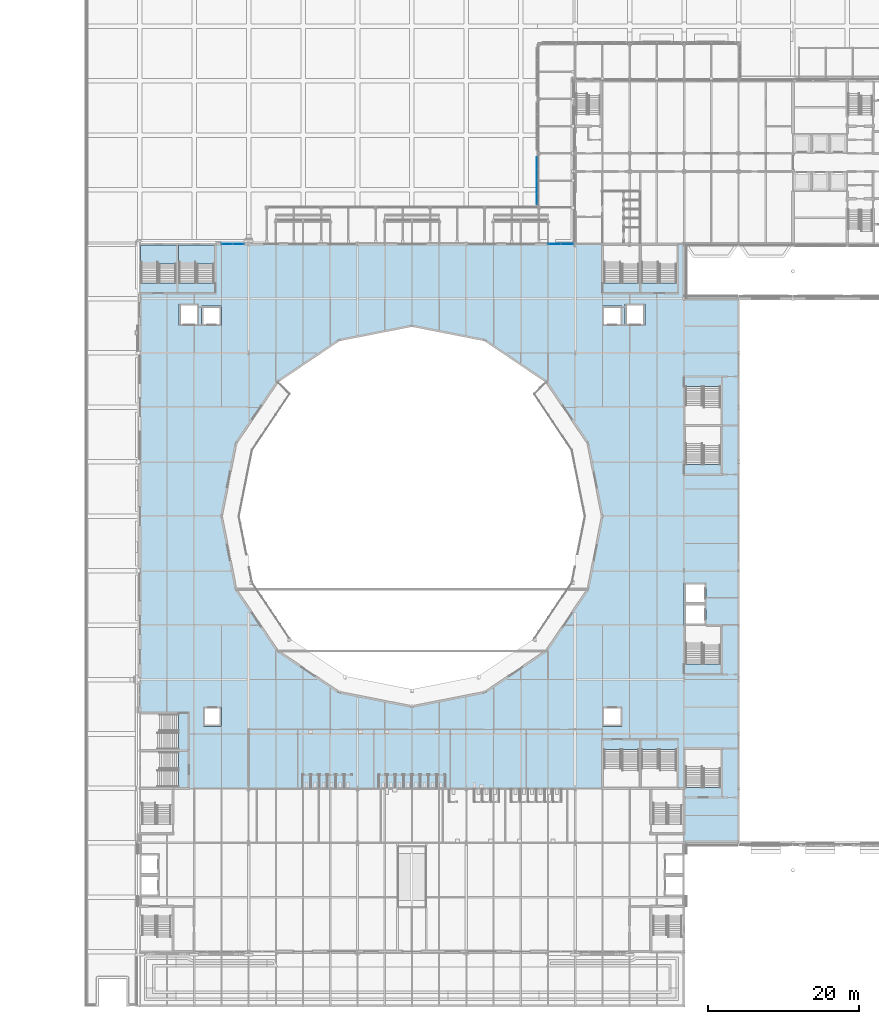
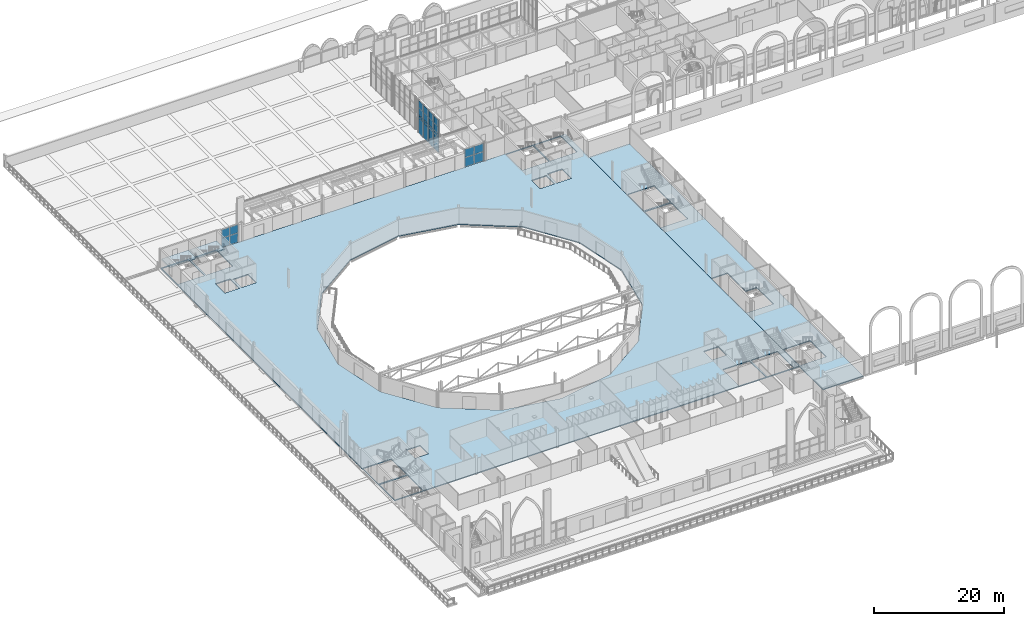
# One storey, part 64 of 143: 24 plates, 4 slabs, 5 elements without a shape of their own.
"""IFC4 building model written with IfcOpenShell, lengths in metres."""

from ifc_helpers import new_model, si_unit, direction, frame, origin, origin_2d, place, context, subcontext, project, spatial, polyline, rectangle, outline, extrude, material, layer, layer_set, type_object, element, aggregate, save


model = new_model("IFC4")

# Units and contexts
model_context = context("Model", 3, precision=1e-05, world=origin(), true_north=direction((0.0, 1.0)))
body_context = subcontext(model_context, "Body", "Model", "MODEL_VIEW")
ifc_project = project(units=[si_unit("LENGTHUNIT", "METRE"), si_unit("AREAUNIT", "SQUARE_METRE"), si_unit("VOLUMEUNIT", "CUBIC_METRE"), si_unit("PLANEANGLEUNIT", "RADIAN"), si_unit("MASSUNIT", "GRAM", prefix="KILO")], contexts=[model_context])

# Site, building, storey
site_placement = place(None, origin())
site = spatial("IfcSite", under=ifc_project, at=site_placement, CompositionType="ELEMENT")
building_placement = place(site_placement, origin())
building = spatial("IfcBuilding", under=site, at=building_placement, Name="Kupolbacken Congress Centre", CompositionType="ELEMENT")
storey_placement = place(building_placement, frame((0.0, 0.0, 7.199951171875)))
storey = spatial("IfcBuildingStorey", under=building, at=storey_placement, Name="L02", CompositionType="ELEMENT", Elevation=7.199951171875)

# Slabs
ifc_material_1 = material(Name="Concrete C30/37", Category="concrete")
ifc_layer_1 = layer(ifc_material_1, 0.1201171875)
ifc_material_2 = material(Name="Steel S350 profiled deck", Category="steel")
ifc_layer_2 = layer(ifc_material_2, 0.06005859375)
ifc_layer_set_1 = layer_set([ifc_layer_1, ifc_layer_2], Name="Concrete C30/37 / Steel S350 profiled deck")
slab_type_1 = type_object("IfcSlabType", Name="FS3 slab 180", PredefinedType="FLOOR", material=ifc_layer_set_1)
slab_1_placement = place(storey_placement, frame((0.0, 0.0, -0.179931640625)))
element("IfcSlab", 1, at=slab_1_placement, inside=storey, type_object=slab_type_1, Name="S/floor/P/L02/slab/slab", PredefinedType="FLOOR", context=body_context, shape_type="SweptSolid", body=[
    extrude(outline(polyline([(7.200439453125, 50.400390625), (79.199462890625, 50.400390625), (79.199462890625, 122.3994140625), (7.200439453125, 122.3994140625), (7.200439453125, 50.400390625)]), holes=[polyline([(73.5244140625, 50.5244140625), (73.5244140625, 55.54052734375), (78.275390625, 55.54052734375), (78.275390625, 50.5244140625), (73.5244140625, 50.5244140625)]), polyline([(73.5244140625, 117.259521484375), (73.5244140625, 122.275390625), (78.275390625, 122.275390625), (78.275390625, 117.259521484375), (73.5244140625, 117.259521484375)]), polyline([(71.3994140625, 111.599609375), (71.3994140625, 114.50048828125), (74.00048828125, 114.50048828125), (74.00048828125, 111.599609375), (71.3994140625, 111.599609375)]), polyline([(73.275390625, 50.5244140625), (68.5244140625, 50.5244140625), (68.5244140625, 55.54052734375), (73.275390625, 55.54052734375), (73.275390625, 50.5244140625)]), polyline([(68.5244140625, 117.259521484375), (68.5244140625, 122.275390625), (73.275390625, 122.275390625), (73.275390625, 117.259521484375), (68.5244140625, 117.259521484375)]), polyline([(68.3994140625, 58.599609375), (68.3994140625, 61.200439453125), (71.00048828125, 61.200439453125), (71.00048828125, 58.599609375), (68.3994140625, 58.599609375)]), polyline([(68.3994140625, 111.599609375), (68.3994140625, 114.200439453125), (71.00048828125, 114.200439453125), (71.00048828125, 111.599609375), (68.3994140625, 111.599609375)]), polyline([(52.85009765625, 63.099609375), (43.199951171875, 61.199462890625), (33.5498046875, 63.099609375), (25.399658203125, 68.599609375), (19.8994140625, 76.749755859375), (17.99951171875, 86.39990234375), (19.8994140625, 96.05029296875), (25.399658203125, 104.200439453125), (33.5498046875, 109.700439453125), (43.199951171875, 111.6005859375), (52.85009765625, 109.700439453125), (61.000244140625, 104.200439453125), (66.50048828125, 96.05029296875), (68.400390625, 86.39990234375), (66.50048828125, 76.749755859375), (61.000244140625, 68.599609375), (52.85009765625, 63.099609375)]), polyline([(15.599609375, 58.599609375), (15.599609375, 61.200439453125), (18.00048828125, 61.200439453125), (18.00048828125, 58.599609375), (15.599609375, 58.599609375)]), polyline([(15.3994140625, 111.599609375), (15.3994140625, 114.200439453125), (18.00048828125, 114.200439453125), (18.00048828125, 111.599609375), (15.3994140625, 111.599609375)]), polyline([(12.324462890625, 117.259521484375), (12.324462890625, 122.275390625), (17.075439453125, 122.275390625), (17.075439453125, 117.259521484375), (12.324462890625, 117.259521484375)]), polyline([(12.3994140625, 111.599609375), (12.3994140625, 114.50048828125), (15.00048828125, 114.50048828125), (15.00048828125, 111.599609375), (12.3994140625, 111.599609375)]), polyline([(12.340576171875, 55.275390625), (12.340576171875, 50.5244140625), (7.324462890625, 50.5244140625), (7.324462890625, 55.275390625), (12.340576171875, 55.275390625)]), polyline([(7.324462890625, 55.5244140625), (7.324462890625, 60.275390625), (12.340576171875, 60.275390625), (12.340576171875, 55.5244140625), (7.324462890625, 55.5244140625)]), polyline([(7.324462890625, 117.259521484375), (7.324462890625, 122.275390625), (12.075439453125, 122.275390625), (12.075439453125, 117.259521484375), (7.324462890625, 117.259521484375)])]), origin(), (0.0, 0.0, 1.0), 0.179931640625),
])
slab_2_placement = place(storey_placement, frame((0.0, 0.0, -0.179931640625)))
element("IfcSlab", 2, at=slab_2_placement, inside=storey, type_object=slab_type_1, Name="S/floor/LINK/L02/slab/slab", PredefinedType="FLOOR", context=body_context, shape_type="SweptSolid", body=[
    extrude(outline(polyline([(86.3994140625, 43.200439453125), (86.3994140625, 115.199462890625), (79.200439453125, 115.199462890625), (79.200439453125, 77.6005859375), (82.1005859375, 77.6005859375), (82.1005859375, 72.00048828125), (84.075439453125, 72.00048828125), (84.075439453125, 66.859619140625), (79.324462890625, 66.859619140625), (79.324462890625, 71.99951171875), (79.200439453125, 71.99951171875), (79.200439453125, 43.200439453125), (86.3994140625, 43.200439453125)]), holes=[polyline([(79.324462890625, 98.275390625), (84.075439453125, 98.275390625), (84.075439453125, 93.259521484375), (79.324462890625, 93.259521484375), (79.324462890625, 98.275390625)]), polyline([(79.349609375, 103.5654296875), (84.050537109375, 103.5654296875), (84.050537109375, 98.549560546875), (79.349609375, 98.549560546875), (79.349609375, 103.5654296875)]), polyline([(79.349609375, 50.534423828125), (79.349609375, 55.550537109375), (84.050537109375, 55.550537109375), (84.050537109375, 50.534423828125), (79.349609375, 50.534423828125)])]), origin(), (0.0, 0.0, 1.0), 0.179931640625),
])

# Curtain wall, plates
ifc_material_3 = material(Name="Aluminium mullion-transom frame with glass", Category="aluminium")
curtain_wall_type_1 = type_object("IfcCurtainWallType", Name="CW2 curtain wall 3600x3600", PredefinedType="NOTDEFINED", material=ifc_material_3)
curtain_wall_1_placement = place(storey_placement, origin())
curtain_wall_1 = element("IfcCurtainWall", 3, at=curtain_wall_1_placement, inside=storey, type_object=curtain_wall_type_1, Name="E/P/N/L02/277", PredefinedType="NOTDEFINED")
ifc_material_4 = material(Name="Glass", Category="glass")
ifc_layer_3 = layer(ifc_material_4, 0.035888671875)
ifc_layer_set_2 = layer_set([ifc_layer_3], Name="Glass")
plate_type = type_object("IfcPlateType", Name="GL2 glass panel 36", PredefinedType="CURTAIN_PANEL", material=ifc_layer_set_2)
plate_1_placement = place(storey_placement, frame((63.7724609375, 122.39990234375, 0.06005859375), z_axis=(0.0, 0.0, 1.0), x_axis=(-1.0, 0.0, 0.0)))
plate_1 = element("IfcPlate", 4, at=plate_1_placement, type_object=plate_type, Name="CW2 panel 1.1", PredefinedType="CURTAIN_PANEL", context=body_context, shape_type="SweptSolid", body=[
    extrude(rectangle(XDim=1.635009765625, YDim=0.035888671875, at=origin_2d()), origin(), (0.0, 0.0, 1.0), 1.7099609375),
])
plate_2_placement = place(storey_placement, frame((63.7724609375, 122.39990234375, 1.830078125), z_axis=(0.0, 0.0, 1.0), x_axis=(-1.0, 0.0, 0.0)))
plate_2 = element("IfcPlate", 5, at=plate_2_placement, type_object=plate_type, Name="CW2 panel 1.2", PredefinedType="CURTAIN_PANEL", context=body_context, shape_type="SweptSolid", body=[
    extrude(rectangle(XDim=1.635009765625, YDim=0.035888671875, at=origin_2d()), origin(), (0.0, 0.0, 1.0), 1.530029296875),
])
plate_3_placement = place(storey_placement, frame((62.077392578125, 122.39990234375, 0.06005859375), z_axis=(0.0, 0.0, 1.0), x_axis=(-1.0, 0.0, 0.0)))
plate_3 = element("IfcPlate", 6, at=plate_3_placement, type_object=plate_type, Name="CW2 panel 2.1", PredefinedType="CURTAIN_PANEL", context=body_context, shape_type="SweptSolid", body=[
    extrude(rectangle(XDim=1.635009765625, YDim=0.035888671875, at=origin_2d()), origin(), (0.0, 0.0, 1.0), 1.7099609375),
])
plate_4_placement = place(storey_placement, frame((62.077392578125, 122.39990234375, 1.830078125), z_axis=(0.0, 0.0, 1.0), x_axis=(-1.0, 0.0, 0.0)))
plate_4 = element("IfcPlate", 7, at=plate_4_placement, type_object=plate_type, Name="CW2 panel 2.2", PredefinedType="CURTAIN_PANEL", context=body_context, shape_type="SweptSolid", body=[
    extrude(rectangle(XDim=1.635009765625, YDim=0.035888671875, at=origin_2d()), origin(), (0.0, 0.0, 1.0), 1.530029296875),
])
aggregate(curtain_wall_1, [plate_1, plate_2, plate_3, plate_4])

curtain_wall_2_placement = place(storey_placement, origin())
curtain_wall_2 = element("IfcCurtainWall", 8, at=curtain_wall_2_placement, inside=storey, type_object=curtain_wall_type_1, Name="E/P/N/L02/282", PredefinedType="NOTDEFINED")
plate_5_placement = place(storey_placement, frame((20.235107421875, 122.39990234375, 0.06005859375), z_axis=(0.0, 0.0, 1.0), x_axis=(-1.0, 0.0, 0.0)))
plate_5 = element("IfcPlate", 9, at=plate_5_placement, type_object=plate_type, Name="CW2 panel 1.1", PredefinedType="CURTAIN_PANEL", context=body_context, shape_type="SweptSolid", body=[
    extrude(rectangle(XDim=1.409912109375, YDim=0.035888671875, at=origin_2d()), origin(), (0.0, 0.0, 1.0), 1.7099609375),
])
plate_6_placement = place(storey_placement, frame((20.235107421875, 122.39990234375, 1.830078125), z_axis=(0.0, 0.0, 1.0), x_axis=(-1.0, 0.0, 0.0)))
plate_6 = element("IfcPlate", 10, at=plate_6_placement, type_object=plate_type, Name="CW2 panel 1.2", PredefinedType="CURTAIN_PANEL", context=body_context, shape_type="SweptSolid", body=[
    extrude(rectangle(XDim=1.409912109375, YDim=0.035888671875, at=origin_2d()), origin(), (0.0, 0.0, 1.0), 1.530029296875),
])
plate_7_placement = place(storey_placement, frame((18.764892578125, 122.39990234375, 0.06005859375), z_axis=(0.0, 0.0, 1.0), x_axis=(-1.0, 0.0, 0.0)))
plate_7 = element("IfcPlate", 11, at=plate_7_placement, type_object=plate_type, Name="CW2 panel 2.1", PredefinedType="CURTAIN_PANEL", context=body_context, shape_type="SweptSolid", body=[
    extrude(rectangle(XDim=1.409912109375, YDim=0.035888671875, at=origin_2d()), origin(), (0.0, 0.0, 1.0), 1.7099609375),
])
plate_8_placement = place(storey_placement, frame((18.764892578125, 122.39990234375, 1.830078125), z_axis=(0.0, 0.0, 1.0), x_axis=(-1.0, 0.0, 0.0)))
plate_8 = element("IfcPlate", 12, at=plate_8_placement, type_object=plate_type, Name="CW2 panel 2.2", PredefinedType="CURTAIN_PANEL", context=body_context, shape_type="SweptSolid", body=[
    extrude(rectangle(XDim=1.409912109375, YDim=0.035888671875, at=origin_2d()), origin(), (0.0, 0.0, 1.0), 1.530029296875),
])
aggregate(curtain_wall_2, [plate_5, plate_6, plate_7, plate_8])

ifc_material_5 = material(Name="Aluminium mullion-transom frame with glass", Category="aluminium")
curtain_wall_type_2 = type_object("IfcCurtainWallType", Name="CW1 curtain wall 7200x3600", PredefinedType="NOTDEFINED", material=ifc_material_5)
curtain_wall_3_placement = place(storey_placement, origin())
curtain_wall_3 = element("IfcCurtainWall", 13, at=curtain_wall_3_placement, inside=storey, type_object=curtain_wall_type_2, Name="E/T/portal/W/screen127.2/cw", PredefinedType="NOTDEFINED")
plate_9_placement = place(storey_placement, frame((59.719970703125, 133.14990234375, 0.05029296875), z_axis=(0.0, 0.0, 1.0), x_axis=(0.0, -1.0, 0.0)))
plate_9 = element("IfcPlate", 14, at=plate_9_placement, type_object=plate_type, Name="CW1 panel 1.1", PredefinedType="CURTAIN_PANEL", context=body_context, shape_type="SweptSolid", body=[
    extrude(rectangle(XDim=1.5, YDim=0.035888671875, at=origin_2d()), origin(), (0.0, 0.0, 1.0), 2.824951171875),
])
plate_10_placement = place(storey_placement, frame((59.719970703125, 133.14990234375, 2.925048828125), z_axis=(0.0, 0.0, 1.0), x_axis=(0.0, -1.0, 0.0)))
plate_10 = element("IfcPlate", 15, at=plate_10_placement, type_object=plate_type, Name="CW1 panel 1.2", PredefinedType="CURTAIN_PANEL", context=body_context, shape_type="SweptSolid", body=[
    extrude(rectangle(XDim=1.5, YDim=0.035888671875, at=origin_2d()), origin(), (0.0, 0.0, 1.0), 0.5),
])
plate_11_placement = place(storey_placement, frame((59.719970703125, 133.14990234375, 3.47509765625), z_axis=(0.0, 0.0, 1.0), x_axis=(0.0, -1.0, 0.0)))
plate_11 = element("IfcPlate", 16, at=plate_11_placement, type_object=plate_type, Name="CW1 panel 1.3", PredefinedType="CURTAIN_PANEL", context=body_context, shape_type="SweptSolid", body=[
    extrude(rectangle(XDim=1.5, YDim=0.035888671875, at=origin_2d()), origin(), (0.0, 0.0, 1.0), 1.300048828125),
])
plate_12_placement = place(storey_placement, frame((59.719970703125, 133.14990234375, 4.8251953125), z_axis=(0.0, 0.0, 1.0), x_axis=(0.0, -1.0, 0.0)))
plate_12 = element("IfcPlate", 17, at=plate_12_placement, type_object=plate_type, Name="CW1 panel 1.4", PredefinedType="CURTAIN_PANEL", context=body_context, shape_type="SweptSolid", body=[
    extrude(rectangle(XDim=1.5, YDim=0.035888671875, at=origin_2d()), origin(), (0.0, 0.0, 1.0), 1.324951171875),
])
plate_13_placement = place(storey_placement, frame((59.719970703125, 131.58740234375, 0.05029296875), z_axis=(0.0, 0.0, 1.0), x_axis=(0.0, -1.0, 0.0)))
plate_13 = element("IfcPlate", 18, at=plate_13_placement, type_object=plate_type, Name="CW1 panel 2.1", PredefinedType="CURTAIN_PANEL", context=body_context, shape_type="SweptSolid", body=[
    extrude(rectangle(XDim=1.52490234375, YDim=0.035888671875, at=origin_2d()), origin(), (0.0, 0.0, 1.0), 2.824951171875),
])
plate_14_placement = place(storey_placement, frame((59.719970703125, 131.58740234375, 2.925048828125), z_axis=(0.0, 0.0, 1.0), x_axis=(0.0, -1.0, 0.0)))
plate_14 = element("IfcPlate", 19, at=plate_14_placement, type_object=plate_type, Name="CW1 panel 2.2", PredefinedType="CURTAIN_PANEL", context=body_context, shape_type="SweptSolid", body=[
    extrude(rectangle(XDim=1.52490234375, YDim=0.035888671875, at=origin_2d()), origin(), (0.0, 0.0, 1.0), 0.5),
])
plate_15_placement = place(storey_placement, frame((59.719970703125, 131.58740234375, 3.47509765625), z_axis=(0.0, 0.0, 1.0), x_axis=(0.0, -1.0, 0.0)))
plate_15 = element("IfcPlate", 20, at=plate_15_placement, type_object=plate_type, Name="CW1 panel 2.3", PredefinedType="CURTAIN_PANEL", context=body_context, shape_type="SweptSolid", body=[
    extrude(rectangle(XDim=1.52490234375, YDim=0.035888671875, at=origin_2d()), origin(), (0.0, 0.0, 1.0), 1.300048828125),
])
plate_16_placement = place(storey_placement, frame((59.719970703125, 131.58740234375, 4.8251953125), z_axis=(0.0, 0.0, 1.0), x_axis=(0.0, -1.0, 0.0)))
plate_16 = element("IfcPlate", 21, at=plate_16_placement, type_object=plate_type, Name="CW1 panel 2.4", PredefinedType="CURTAIN_PANEL", context=body_context, shape_type="SweptSolid", body=[
    extrude(rectangle(XDim=1.52490234375, YDim=0.035888671875, at=origin_2d()), origin(), (0.0, 0.0, 1.0), 1.324951171875),
])
plate_17_placement = place(storey_placement, frame((59.719970703125, 130.012451171875, 0.05029296875), z_axis=(0.0, 0.0, 1.0), x_axis=(0.0, -1.0, 0.0)))
plate_17 = element("IfcPlate", 22, at=plate_17_placement, type_object=plate_type, Name="CW1 panel 3.1", PredefinedType="CURTAIN_PANEL", context=body_context, shape_type="SweptSolid", body=[
    extrude(rectangle(XDim=1.52490234375, YDim=0.035888671875, at=origin_2d()), origin(), (0.0, 0.0, 1.0), 2.824951171875),
])
plate_18_placement = place(storey_placement, frame((59.719970703125, 130.012451171875, 2.925048828125), z_axis=(0.0, 0.0, 1.0), x_axis=(0.0, -1.0, 0.0)))
plate_18 = element("IfcPlate", 23, at=plate_18_placement, type_object=plate_type, Name="CW1 panel 3.2", PredefinedType="CURTAIN_PANEL", context=body_context, shape_type="SweptSolid", body=[
    extrude(rectangle(XDim=1.52490234375, YDim=0.035888671875, at=origin_2d()), origin(), (0.0, 0.0, 1.0), 0.5),
])
plate_19_placement = place(storey_placement, frame((59.719970703125, 130.012451171875, 3.47509765625), z_axis=(0.0, 0.0, 1.0), x_axis=(0.0, -1.0, 0.0)))
plate_19 = element("IfcPlate", 24, at=plate_19_placement, type_object=plate_type, Name="CW1 panel 3.3", PredefinedType="CURTAIN_PANEL", context=body_context, shape_type="SweptSolid", body=[
    extrude(rectangle(XDim=1.52490234375, YDim=0.035888671875, at=origin_2d()), origin(), (0.0, 0.0, 1.0), 1.300048828125),
])
plate_20_placement = place(storey_placement, frame((59.719970703125, 130.012451171875, 4.8251953125), z_axis=(0.0, 0.0, 1.0), x_axis=(0.0, -1.0, 0.0)))
plate_20 = element("IfcPlate", 25, at=plate_20_placement, type_object=plate_type, Name="CW1 panel 3.4", PredefinedType="CURTAIN_PANEL", context=body_context, shape_type="SweptSolid", body=[
    extrude(rectangle(XDim=1.52490234375, YDim=0.035888671875, at=origin_2d()), origin(), (0.0, 0.0, 1.0), 1.324951171875),
])
plate_21_placement = place(storey_placement, frame((59.719970703125, 128.449951171875, 0.05029296875), z_axis=(0.0, 0.0, 1.0), x_axis=(0.0, -1.0, 0.0)))
plate_21 = element("IfcPlate", 26, at=plate_21_placement, type_object=plate_type, Name="CW1 panel 4.1", PredefinedType="CURTAIN_PANEL", context=body_context, shape_type="SweptSolid", body=[
    extrude(rectangle(XDim=1.5, YDim=0.035888671875, at=origin_2d()), origin(), (0.0, 0.0, 1.0), 2.824951171875),
])
plate_22_placement = place(storey_placement, frame((59.719970703125, 128.449951171875, 2.925048828125), z_axis=(0.0, 0.0, 1.0), x_axis=(0.0, -1.0, 0.0)))
plate_22 = element("IfcPlate", 27, at=plate_22_placement, type_object=plate_type, Name="CW1 panel 4.2", PredefinedType="CURTAIN_PANEL", context=body_context, shape_type="SweptSolid", body=[
    extrude(rectangle(XDim=1.5, YDim=0.035888671875, at=origin_2d()), origin(), (0.0, 0.0, 1.0), 0.5),
])
plate_23_placement = place(storey_placement, frame((59.719970703125, 128.449951171875, 3.47509765625), z_axis=(0.0, 0.0, 1.0), x_axis=(0.0, -1.0, 0.0)))
plate_23 = element("IfcPlate", 28, at=plate_23_placement, type_object=plate_type, Name="CW1 panel 4.3", PredefinedType="CURTAIN_PANEL", context=body_context, shape_type="SweptSolid", body=[
    extrude(rectangle(XDim=1.5, YDim=0.035888671875, at=origin_2d()), origin(), (0.0, 0.0, 1.0), 1.300048828125),
])
plate_24_placement = place(storey_placement, frame((59.719970703125, 128.449951171875, 4.8251953125), z_axis=(0.0, 0.0, 1.0), x_axis=(0.0, -1.0, 0.0)))
plate_24 = element("IfcPlate", 29, at=plate_24_placement, type_object=plate_type, Name="CW1 panel 4.4", PredefinedType="CURTAIN_PANEL", context=body_context, shape_type="SweptSolid", body=[
    extrude(rectangle(XDim=1.5, YDim=0.035888671875, at=origin_2d()), origin(), (0.0, 0.0, 1.0), 1.324951171875),
])
aggregate(curtain_wall_3, [plate_9, plate_10, plate_11, plate_12, plate_13, plate_14, plate_15, plate_16, plate_17, plate_18, plate_19, plate_20, plate_21, plate_22, plate_23, plate_24])

# Stair, slab
ifc_material_6 = material(Name="Concrete C30/37", Category="concrete")
stair_type = type_object("IfcStairType", Name="ST13 stair 2200", PredefinedType="TWO_STRAIGHT_RUN_STAIR", material=ifc_material_6)
stair_1_placement = place(storey_placement, origin())
stair_1 = element("IfcStair", 30, at=stair_1_placement, inside=storey, type_object=stair_type, Name="C/stair/PS1NW/L02", PredefinedType="NOTDEFINED")
ifc_layer_4 = layer(ifc_material_1, 0.175048828125)
ifc_material_7 = material(Name="Limestone", Category="masonry")
ifc_layer_5 = layer(ifc_material_7, 0.030029296875)
ifc_layer_set_3 = layer_set([ifc_layer_4, ifc_layer_5], Name="Concrete C30/37 / Limestone")
slab_type_2 = type_object("IfcSlabType", Name="SL2 slab 205", PredefinedType="LANDING", material=ifc_layer_set_3)
slab_3_placement = place(storey_placement, frame((0.0, 0.0, 1.50927734375)))
slab_3 = element("IfcSlab", 31, at=slab_3_placement, type_object=slab_type_2, Name="PS1NW landing 1", PredefinedType="LANDING", context=body_context, shape_type="SweptSolid", body=[
    extrude(outline(polyline([(7.304931640625, 119.77001953125), (12.094970703125, 119.77001953125), (12.094970703125, 122.294921875), (7.304931640625, 122.294921875), (7.304931640625, 119.77001953125)])), origin(), (0.0, 0.0, 1.0), 0.205078125),
])
aggregate(stair_1, [slab_3])

stair_2_placement = place(storey_placement, origin())
stair_2 = element("IfcStair", 32, at=stair_2_placement, inside=storey, type_object=stair_type, Name="C/stair/PS2NW/L02", PredefinedType="NOTDEFINED")
slab_4_placement = place(storey_placement, frame((0.0, 0.0, 1.50927734375)))
slab_4 = element("IfcSlab", 33, at=slab_4_placement, type_object=slab_type_2, Name="PS2NW landing 1", PredefinedType="LANDING", context=body_context, shape_type="SweptSolid", body=[
    extrude(outline(polyline([(12.304931640625, 119.77001953125), (17.094970703125, 119.77001953125), (17.094970703125, 122.294921875), (12.304931640625, 122.294921875), (12.304931640625, 119.77001953125)])), origin(), (0.0, 0.0, 1.0), 0.205078125),
])
aggregate(stair_2, [slab_4])

save(model, "model.ifc")
